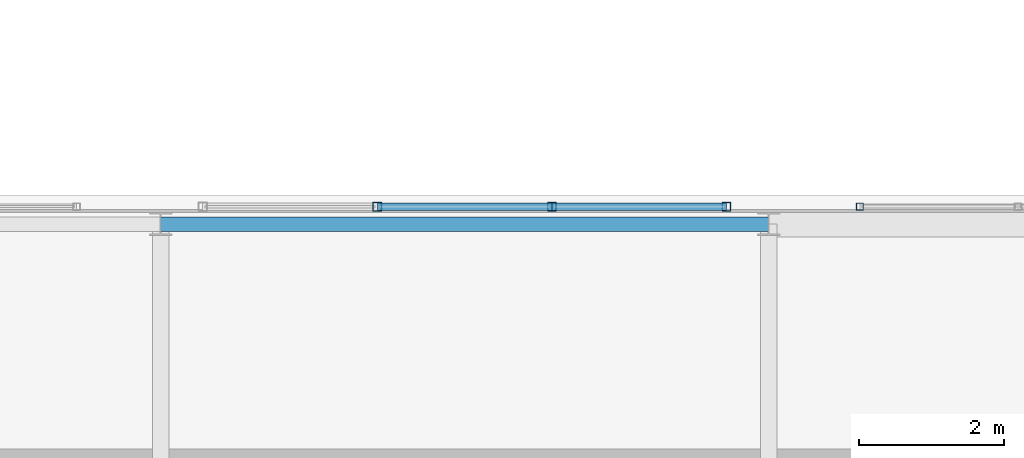
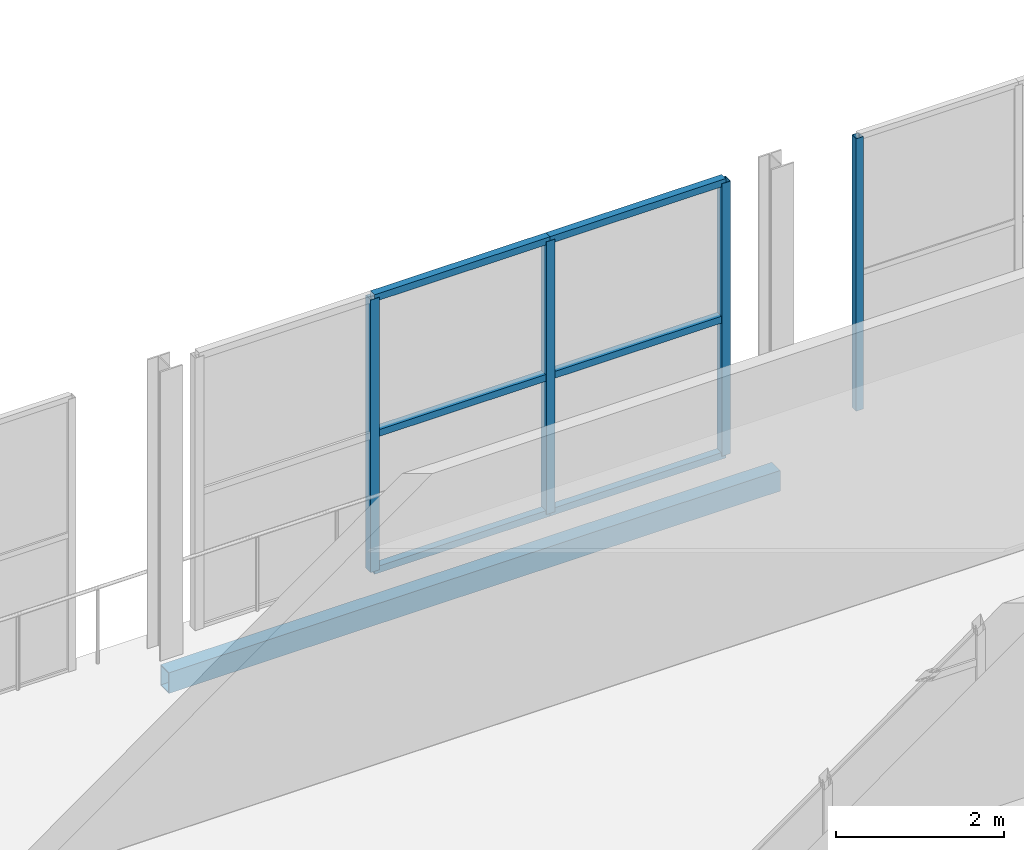
# One storey, part 85 of 151: 10 members, 1 beam, 2 elements without a shape of their own.
"""IFC4 building model written with IfcOpenShell, lengths in metres."""

from ifc_helpers import new_model, si_unit, direction, frame, origin, origin_2d, place, context, subcontext, project, spatial, hollow_rectangle, extrude, material, material_profile, profile_set, type_object, element, aggregate, save


model = new_model("IFC4")

# Units and contexts
model_context = context("Model", 3, precision=1e-05, world=origin(), true_north=direction((0.0, 1.0)))
body_context = subcontext(model_context, "Body", "Model", "MODEL_VIEW")
ifc_project = project(units=[si_unit("LENGTHUNIT", "METRE"), si_unit("AREAUNIT", "SQUARE_METRE"), si_unit("VOLUMEUNIT", "CUBIC_METRE"), si_unit("PLANEANGLEUNIT", "RADIAN"), si_unit("MASSUNIT", "GRAM", prefix="KILO")], contexts=[model_context])

# Site, building, storey
site_placement = place(None, origin())
site = spatial("IfcSite", under=ifc_project, at=site_placement, CompositionType="ELEMENT")
building_placement = place(site_placement, origin())
building = spatial("IfcBuilding", under=site, at=building_placement, Name="Zuvorla Pavilion Media Centre", CompositionType="ELEMENT")
storey_placement = place(building_placement, frame((0.0, 0.0, 13.800048828125)))
storey = spatial("IfcBuildingStorey", under=building, at=storey_placement, Name="L03", CompositionType="ELEMENT", Elevation=13.800048828125)

# Beam
ifc_material_1 = material(Name="Steel S355", Category="steel")
ifc_material_profile_1 = material_profile(ifc_material_1, hollow_rectangle(XDim=0.199951171875, YDim=0.300048828125, WallThickness=0.012451171875, at=origin_2d()), Name="RHS 300x200x12.5")
ifc_profile_set_1 = profile_set([ifc_material_profile_1], Name="Steel S355")
beam_type = type_object("IfcBeamType", Name="BM-SP-RHS300", PredefinedType="SPANDREL", material=ifc_profile_set_1)
beam_placement = place(storey_placement, frame((134.0, 51.60009765625, -0.407958984375), z_axis=(1.0, 0.0, 0.0), x_axis=(0.0, 1.0, 0.0)))
element("IfcBeam", 1, at=beam_placement, inside=storey, type_object=beam_type, Name="L03 spandrel SP01 1105", PredefinedType="SPANDREL", context=body_context, shape_type="SweptSolid", body=[
    extrude(hollow_rectangle(XDim=0.199951171875, YDim=0.300048828125, WallThickness=0.012451171875, at=origin_2d()), origin(), (0.0, 0.0, 1.0), 8.39990234375),
])

# Curtain wall, member
ifc_material_2 = material(Name="Unitised anodised aluminium and solar glass curtain wall", Category="aluminium")
curtain_wall_type_1 = type_object("IfcCurtainWallType", Name="CW-SYS-21", PredefinedType="USERDEFINED", material=ifc_material_2)
curtain_wall_1_placement = place(storey_placement, origin())
curtain_wall_1 = element("IfcCurtainWall", 2, at=curtain_wall_1_placement, inside=storey, type_object=curtain_wall_type_1, Name="L03 curtain wall CW21 183", ObjectType="CURTAIN WALL", PredefinedType="USERDEFINED")
ifc_material_3 = material(Name="Anodised aluminium 6063-T6", Category="aluminium")
ifc_material_profile_2 = material_profile(ifc_material_3, hollow_rectangle(XDim=0.10009765625, YDim=0.10009765625, WallThickness=0.00439453125, at=origin_2d()), Name="ALU MULL 100x100")
ifc_profile_set_2 = profile_set([ifc_material_profile_2], Name="Anodised aluminium 6063-T6")
member_type_1 = type_object("IfcMemberType", Name="CW-MULL-100", PredefinedType="MULLION", material=ifc_profile_set_2)
member_1_placement = place(storey_placement, frame((143.659912109375, 51.840087890625, 0.0), z_axis=(0.0, 0.0, 1.0), x_axis=(1.0, 0.0, 0.0)))
member_1 = element("IfcMember", 3, at=member_1_placement, type_object=member_type_1, Name="CW21 mullion 1", PredefinedType="MULLION", context=body_context, shape_type="SweptSolid", body=[
    extrude(hollow_rectangle(XDim=0.10009765625, YDim=0.10009765625, WallThickness=0.00439453125, at=origin_2d()), origin(), (0.0, 0.0, 1.0), 3.9599609375),
])
aggregate(curtain_wall_1, [member_1])

# Curtain wall, members
curtain_wall_type_2 = type_object("IfcCurtainWallType", Name="CW-SYS-84", PredefinedType="USERDEFINED", material=ifc_material_2)
curtain_wall_2_placement = place(storey_placement, origin())
curtain_wall_2 = element("IfcCurtainWall", 4, at=curtain_wall_2_placement, inside=storey, type_object=curtain_wall_type_2, Name="L03 curtain wall CW84 181", ObjectType="CURTAIN WALL", PredefinedType="USERDEFINED")
ifc_material_profile_3 = material_profile(ifc_material_3, hollow_rectangle(XDim=0.1201171875, YDim=0.1201171875, WallThickness=0.0048828125, at=origin_2d()), Name="ALU MULL 120x120")
ifc_profile_set_3 = profile_set([ifc_material_profile_3], Name="Anodised aluminium 6063-T6")
member_type_2 = type_object("IfcMemberType", Name="CW-MULL-120", PredefinedType="MULLION", material=ifc_profile_set_3)
member_2_placement = place(storey_placement, frame((136.993896484375, 51.840087890625, 0.0), z_axis=(0.0, 0.0, 1.0), x_axis=(1.0, 0.0, 0.0)))
member_2 = element("IfcMember", 5, at=member_2_placement, type_object=member_type_2, Name="CW84 mullion 2", PredefinedType="MULLION", context=body_context, shape_type="SweptSolid", body=[
    extrude(hollow_rectangle(XDim=0.1201171875, YDim=0.1201171875, WallThickness=0.0048828125, at=origin_2d()), origin(), (0.0, 0.0, 1.0), 3.9599609375),
])
member_3_placement = place(storey_placement, frame((139.406005859375, 51.840087890625, 0.0), z_axis=(0.0, 0.0, 1.0), x_axis=(1.0, 0.0, 0.0)))
member_3 = element("IfcMember", 6, at=member_3_placement, type_object=member_type_2, Name="CW84 mullion 3", PredefinedType="MULLION", context=body_context, shape_type="SweptSolid", body=[
    extrude(hollow_rectangle(XDim=0.1201171875, YDim=0.1201171875, WallThickness=0.0048828125, at=origin_2d()), origin(), (0.0, 0.0, 1.0), 3.9599609375),
])
member_4_placement = place(storey_placement, frame((141.818115234375, 51.840087890625, 0.0), z_axis=(0.0, 0.0, 1.0), x_axis=(1.0, 0.0, 0.0)))
member_4 = element("IfcMember", 7, at=member_4_placement, type_object=member_type_2, Name="CW84 mullion 4", PredefinedType="MULLION", context=body_context, shape_type="SweptSolid", body=[
    extrude(hollow_rectangle(XDim=0.1201171875, YDim=0.1201171875, WallThickness=0.0048828125, at=origin_2d()), origin(), (0.0, 0.0, 1.0), 3.9599609375),
])
ifc_material_profile_4 = material_profile(ifc_material_3, hollow_rectangle(XDim=0.10009765625, YDim=0.10009765625, WallThickness=0.00439453125, at=origin_2d()), Name="ALU TRAN 100x100")
ifc_profile_set_4 = profile_set([ifc_material_profile_4], Name="Anodised aluminium 6063-T6")
member_type_3 = type_object("IfcMemberType", Name="CW-TRAN-100", PredefinedType="USERDEFINED", material=ifc_profile_set_4)
member_5_placement = place(storey_placement, frame((136.993896484375, 51.840087890625, 0.0), z_axis=(1.0, 0.0, 0.0), x_axis=(0.0, 1.0, 0.0)))
member_5 = element("IfcMember", 8, at=member_5_placement, type_object=member_type_3, Name="CW84 transom 2.1", ObjectType="TRANSOM", PredefinedType="USERDEFINED", context=body_context, shape_type="SweptSolid", body=[
    extrude(hollow_rectangle(XDim=0.10009765625, YDim=0.10009765625, WallThickness=0.00439453125, at=origin_2d()), origin(), (0.0, 0.0, 1.0), 2.412109375),
])
member_6_placement = place(storey_placement, frame((136.993896484375, 51.840087890625, 1.97998046875), z_axis=(1.0, 0.0, 0.0), x_axis=(0.0, 1.0, 0.0)))
member_6 = element("IfcMember", 9, at=member_6_placement, type_object=member_type_3, Name="CW84 transom 2.2", ObjectType="TRANSOM", PredefinedType="USERDEFINED", context=body_context, shape_type="SweptSolid", body=[
    extrude(hollow_rectangle(XDim=0.10009765625, YDim=0.10009765625, WallThickness=0.00439453125, at=origin_2d()), origin(), (0.0, 0.0, 1.0), 2.412109375),
])
member_7_placement = place(storey_placement, frame((136.993896484375, 51.840087890625, 3.9599609375), z_axis=(1.0, 0.0, 0.0), x_axis=(0.0, 1.0, 0.0)))
member_7 = element("IfcMember", 10, at=member_7_placement, type_object=member_type_3, Name="CW84 transom 2.3", ObjectType="TRANSOM", PredefinedType="USERDEFINED", context=body_context, shape_type="SweptSolid", body=[
    extrude(hollow_rectangle(XDim=0.10009765625, YDim=0.10009765625, WallThickness=0.00439453125, at=origin_2d()), origin(), (0.0, 0.0, 1.0), 2.412109375),
])
member_8_placement = place(storey_placement, frame((139.406005859375, 51.840087890625, 0.0), z_axis=(1.0, 0.0, 0.0), x_axis=(0.0, 1.0, 0.0)))
member_8 = element("IfcMember", 11, at=member_8_placement, type_object=member_type_3, Name="CW84 transom 3.1", ObjectType="TRANSOM", PredefinedType="USERDEFINED", context=body_context, shape_type="SweptSolid", body=[
    extrude(hollow_rectangle(XDim=0.10009765625, YDim=0.10009765625, WallThickness=0.00439453125, at=origin_2d()), origin(), (0.0, 0.0, 1.0), 2.412109375),
])
member_9_placement = place(storey_placement, frame((139.406005859375, 51.840087890625, 1.97998046875), z_axis=(1.0, 0.0, 0.0), x_axis=(0.0, 1.0, 0.0)))
member_9 = element("IfcMember", 12, at=member_9_placement, type_object=member_type_3, Name="CW84 transom 3.2", ObjectType="TRANSOM", PredefinedType="USERDEFINED", context=body_context, shape_type="SweptSolid", body=[
    extrude(hollow_rectangle(XDim=0.10009765625, YDim=0.10009765625, WallThickness=0.00439453125, at=origin_2d()), origin(), (0.0, 0.0, 1.0), 2.412109375),
])
member_10_placement = place(storey_placement, frame((139.406005859375, 51.840087890625, 3.9599609375), z_axis=(1.0, 0.0, 0.0), x_axis=(0.0, 1.0, 0.0)))
member_10 = element("IfcMember", 13, at=member_10_placement, type_object=member_type_3, Name="CW84 transom 3.3", ObjectType="TRANSOM", PredefinedType="USERDEFINED", context=body_context, shape_type="SweptSolid", body=[
    extrude(hollow_rectangle(XDim=0.10009765625, YDim=0.10009765625, WallThickness=0.00439453125, at=origin_2d()), origin(), (0.0, 0.0, 1.0), 2.412109375),
])
aggregate(curtain_wall_2, [member_2, member_3, member_4, member_5, member_6, member_7, member_8, member_9, member_10])

save(model, "model.ifc")
